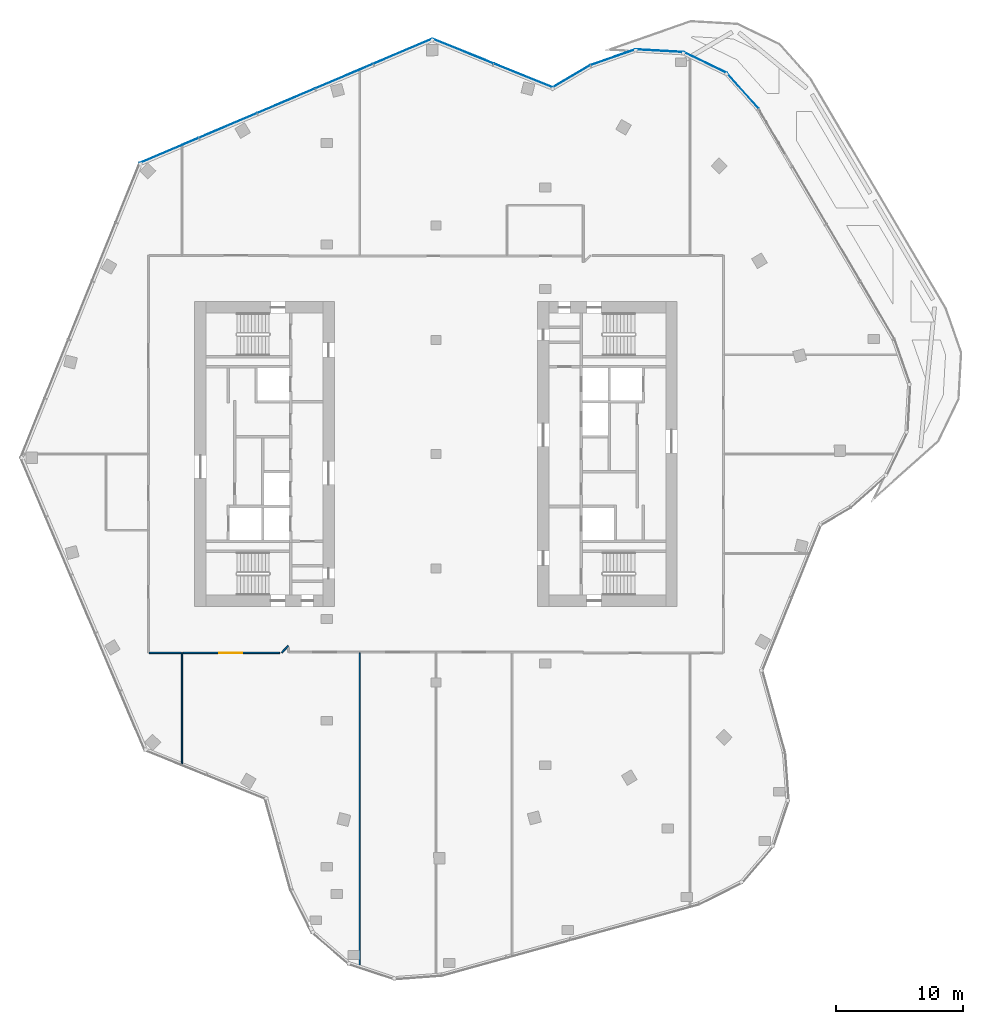
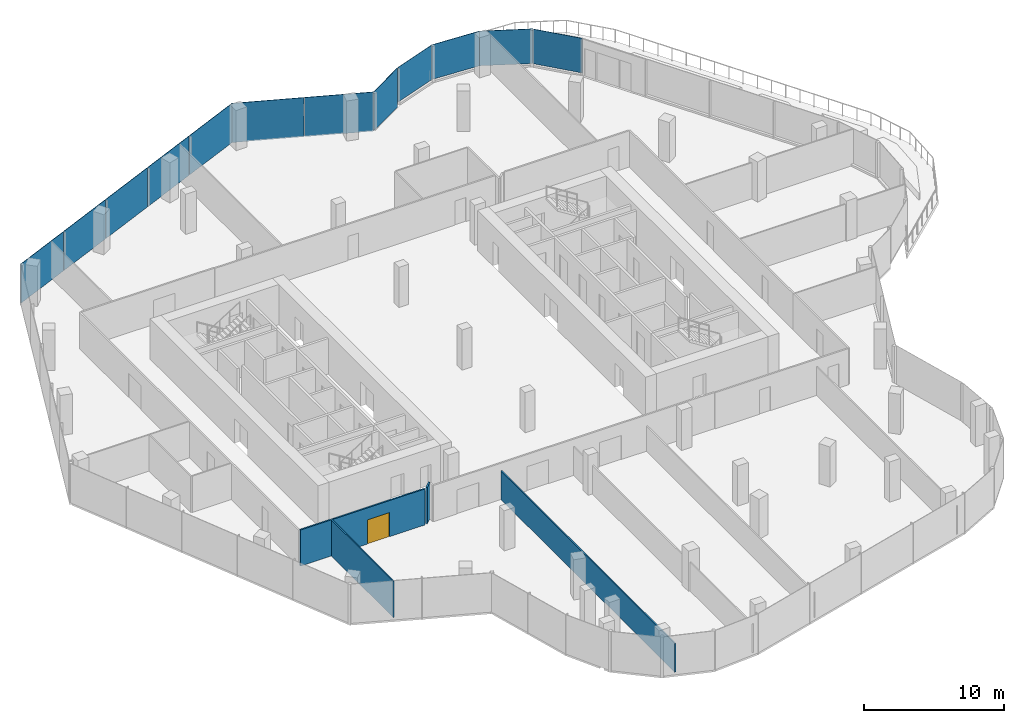
# One storey, part 11 of 17: 12 plates, 5 walls, 1 door, 1 opening, 7 elements without a shape of their own.
"""IFC4 building model written with IfcOpenShell, lengths in metres."""

from ifc_helpers import new_model, si_unit, direction, frame, frame_2d, origin, origin_2d, place, context, subcontext, project, spatial, rectangle, extrude, material, layer, layer_set, type_object, element, fill, aggregate, save


model = new_model("IFC4")

# Units and contexts
model_context = context("Model", 3, precision=1e-05, world=origin(), true_north=direction((0.0, 1.0)))
body_context = subcontext(model_context, "Body", "Model", "MODEL_VIEW")
ifc_project = project(units=[si_unit("LENGTHUNIT", "METRE"), si_unit("AREAUNIT", "SQUARE_METRE"), si_unit("VOLUMEUNIT", "CUBIC_METRE"), si_unit("PLANEANGLEUNIT", "RADIAN"), si_unit("MASSUNIT", "GRAM", prefix="KILO")], contexts=[model_context])

# Site, building, storey
site_placement = place(None, origin())
site = spatial("IfcSite", under=ifc_project, at=site_placement, CompositionType="ELEMENT")
building_placement = place(site_placement, origin())
building = spatial("IfcBuilding", under=site, at=building_placement, Name="Orlundy Tower", CompositionType="ELEMENT")
storey_placement = place(building_placement, frame((0.0, 0.0, 289.39990234375)))
storey = spatial("IfcBuildingStorey", under=building, at=storey_placement, Name="L77", CompositionType="ELEMENT", Elevation=289.39990234375)

# Curtain wall, plates
ifc_material_1 = material(Name="Aluminium bronze anodised", Category="aluminium")
curtain_wall_type = type_object("IfcCurtainWallType", Name="CW6 wall", PredefinedType="NOTDEFINED", material=ifc_material_1)
curtain_wall_1_placement = place(storey_placement, origin())
curtain_wall_1 = element("IfcCurtainWall", 1, at=curtain_wall_1_placement, inside=storey, type_object=curtain_wall_type, Name="CW6 run 04", PredefinedType="NOTDEFINED")
ifc_material_2 = material(Name="Tinted glass", Category="glass")
ifc_layer_1 = layer(ifc_material_2, 0.035888671875)
ifc_layer_set_1 = layer_set([ifc_layer_1], Name="CW6 glass panel 36")
plate_type = type_object("IfcPlateType", Name="CW6 glass panel 36", PredefinedType="CURTAIN_PANEL", material=ifc_layer_set_1)
plate_1_placement = place(storey_placement, frame((-21.013671875, 23.91259765625, -0.23974609375), z_axis=(0.0, 0.0, 1.0), x_axis=(0.920506804854, 0.390726531244, 0.0)))
plate_1 = element("IfcPlate", 2, at=plate_1_placement, type_object=plate_type, Name="CW6 panel", PredefinedType="CURTAIN_PANEL", context=body_context, shape_type="SweptSolid", body=[
    extrude(rectangle(XDim=5.03759765625, YDim=0.035888671875, at=origin_2d()), origin(), (0.0, 0.0, 1.0), 3.419921875),
])
plate_2_placement = place(storey_placement, frame((-16.38427734375, 25.877685546875, -0.23974609375), z_axis=(0.0, 0.0, 1.0), x_axis=(0.920506804854, 0.390726531244, 0.0)))
plate_2 = element("IfcPlate", 3, at=plate_2_placement, type_object=plate_type, Name="CW6 panel", PredefinedType="CURTAIN_PANEL", context=body_context, shape_type="SweptSolid", body=[
    extrude(rectangle(XDim=4.920654296875, YDim=0.035888671875, at=origin_2d()), origin(), (0.0, 0.0, 1.0), 3.419921875),
])
plate_3_placement = place(storey_placement, frame((-11.808837890625, 27.81982421875, -0.23974609375), z_axis=(0.0, 0.0, 1.0), x_axis=(0.920506804854, 0.390726531244, 0.0)))
plate_3 = element("IfcPlate", 4, at=plate_3_placement, type_object=plate_type, Name="CW6 panel", PredefinedType="CURTAIN_PANEL", context=body_context, shape_type="SweptSolid", body=[
    extrude(rectangle(XDim=4.920654296875, YDim=0.035888671875, at=origin_2d()), origin(), (0.0, 0.0, 1.0), 3.419921875),
])
plate_4_placement = place(storey_placement, frame((-7.233154296875, 29.761962890625, -0.23974609375), z_axis=(0.0, 0.0, 1.0), x_axis=(0.920506804854, 0.390726531244, 0.0)))
plate_4 = element("IfcPlate", 5, at=plate_4_placement, type_object=plate_type, Name="CW6 panel", PredefinedType="CURTAIN_PANEL", context=body_context, shape_type="SweptSolid", body=[
    extrude(rectangle(XDim=4.920654296875, YDim=0.035888671875, at=origin_2d()), origin(), (0.0, 0.0, 1.0), 3.419921875),
])
plate_5_placement = place(storey_placement, frame((-2.603759765625, 31.72705078125, -0.23974609375), z_axis=(0.0, 0.0, 1.0), x_axis=(0.920506804854, 0.390726531244, 0.0)))
plate_5 = element("IfcPlate", 6, at=plate_5_placement, type_object=plate_type, Name="CW6 panel", PredefinedType="CURTAIN_PANEL", context=body_context, shape_type="SweptSolid", body=[
    extrude(rectangle(XDim=5.03759765625, YDim=0.035888671875, at=origin_2d()), origin(), (0.0, 0.0, 1.0), 3.419921875),
])
aggregate(curtain_wall_1, [plate_1, plate_2, plate_3, plate_4, plate_5])

curtain_wall_2_placement = place(storey_placement, origin())
curtain_wall_2 = element("IfcCurtainWall", 7, at=curtain_wall_2_placement, inside=storey, type_object=curtain_wall_type, Name="CW6 run 05", PredefinedType="NOTDEFINED")
plate_6_placement = place(storey_placement, frame((2.11865234375, 31.739990234375, -0.23974609375), z_axis=(0.0, 0.0, 1.0), x_axis=(0.927170719858, -0.374639101319, 0.0)))
plate_6 = element("IfcPlate", 8, at=plate_6_placement, type_object=plate_type, Name="CW6 panel", PredefinedType="CURTAIN_PANEL", context=body_context, shape_type="SweptSolid", body=[
    extrude(rectangle(XDim=5.185302734375, YDim=0.035888671875, at=origin_2d()), origin(), (0.0, 0.0, 1.0), 3.419921875),
])
plate_7_placement = place(storey_placement, frame((6.879150390625, 29.81640625, -0.23974609375), z_axis=(0.0, 0.0, 1.0), x_axis=(0.927170719858, -0.374639101319, 0.0)))
plate_7 = element("IfcPlate", 9, at=plate_7_placement, type_object=plate_type, Name="CW6 panel", PredefinedType="CURTAIN_PANEL", context=body_context, shape_type="SweptSolid", body=[
    extrude(rectangle(XDim=4.98388671875, YDim=0.035888671875, at=origin_2d()), origin(), (0.0, 0.0, 1.0), 3.419921875),
])
aggregate(curtain_wall_2, [plate_6, plate_7])

# Curtain wall, plate
curtain_wall_3_placement = place(storey_placement, origin())
curtain_wall_3 = element("IfcCurtainWall", 10, at=curtain_wall_3_placement, inside=storey, type_object=curtain_wall_type, Name="CW6 run 06", PredefinedType="NOTDEFINED")
plate_8_placement = place(storey_placement, frame((10.6630859375, 29.750732421875, -0.23974609375), z_axis=(0.0, 0.0, 1.0), x_axis=(0.861635724688, 0.507527218917, 0.0)))
plate_8 = element("IfcPlate", 11, at=plate_8_placement, type_object=plate_type, Name="CW6 panel", PredefinedType="CURTAIN_PANEL", context=body_context, shape_type="SweptSolid", body=[
    extrude(rectangle(XDim=3.420166015625, YDim=0.035888671875, at=origin_2d()), origin(), (0.0, 0.0, 1.0), 3.419921875),
])
aggregate(curtain_wall_3, [plate_8])

curtain_wall_4_placement = place(storey_placement, origin())
curtain_wall_4 = element("IfcCurtainWall", 12, at=curtain_wall_4_placement, inside=storey, type_object=curtain_wall_type, Name="CW6 run 07", PredefinedType="NOTDEFINED")
plate_9_placement = place(storey_placement, frame((13.95068359375, 31.25732421875, 0.16015625), z_axis=(0.0, 0.0, 1.0), x_axis=(0.944081083956, 0.32971337085, 0.0)))
plate_9 = element("IfcPlate", 13, at=plate_9_placement, type_object=plate_type, Name="CW6 panel", PredefinedType="CURTAIN_PANEL", context=body_context, shape_type="SweptSolid", body=[
    extrude(rectangle(XDim=3.7470703125, YDim=0.035888671875, at=origin_2d()), origin(), (0.0, 0.0, 1.0), 3.02001953125),
])
aggregate(curtain_wall_4, [plate_9])

curtain_wall_5_placement = place(storey_placement, origin())
curtain_wall_5 = element("IfcCurtainWall", 14, at=curtain_wall_5_placement, inside=storey, type_object=curtain_wall_type, Name="CW6 run 08", PredefinedType="NOTDEFINED")
plate_10_placement = place(storey_placement, frame((17.614013671875, 31.767578125, 0.16015625), z_axis=(0.0, 0.0, 1.0), x_axis=(0.998394082315, -0.056650299193, 0.0)))
plate_10 = element("IfcPlate", 15, at=plate_10_placement, type_object=plate_type, Name="CW6 panel", PredefinedType="CURTAIN_PANEL", context=body_context, shape_type="SweptSolid", body=[
    extrude(rectangle(XDim=3.79541015625, YDim=0.035888671875, at=origin_2d()), origin(), (0.0, 0.0, 1.0), 3.02001953125),
])
aggregate(curtain_wall_5, [plate_10])

curtain_wall_6_placement = place(storey_placement, origin())
curtain_wall_6 = element("IfcCurtainWall", 16, at=curtain_wall_6_placement, inside=storey, type_object=curtain_wall_type, Name="CW6 run 09", PredefinedType="NOTDEFINED")
plate_11_placement = place(storey_placement, frame((21.217529296875, 30.83544921875, 0.16015625), z_axis=(0.0, 0.0, 1.0), x_axis=(0.900598982958, -0.434650977101, 0.0)))
plate_11 = element("IfcPlate", 17, at=plate_11_placement, type_object=plate_type, Name="CW6 panel", PredefinedType="CURTAIN_PANEL", context=body_context, shape_type="SweptSolid", body=[
    extrude(rectangle(XDim=3.794677734375, YDim=0.035888671875, at=origin_2d()), origin(), (0.0, 0.0, 1.0), 3.02001953125),
])
aggregate(curtain_wall_6, [plate_11])

curtain_wall_7_placement = place(storey_placement, origin())
curtain_wall_7 = element("IfcCurtainWall", 18, at=curtain_wall_7_placement, inside=storey, type_object=curtain_wall_type, Name="CW6 run 010", PredefinedType="NOTDEFINED")
plate_12_placement = place(storey_placement, frame((24.17431640625, 28.613037109375, 0.16015625), z_axis=(0.0, 0.0, 1.0), x_axis=(0.666053294525, -0.745904155272, 0.0)))
plate_12 = element("IfcPlate", 19, at=plate_12_placement, type_object=plate_type, Name="CW6 panel", PredefinedType="CURTAIN_PANEL", context=body_context, shape_type="SweptSolid", body=[
    extrude(rectangle(XDim=3.747802734375, YDim=0.035888671875, at=origin_2d()), origin(), (0.0, 0.0, 1.0), 3.02001953125),
])
aggregate(curtain_wall_7, [plate_12])

# Walls
ifc_material_3 = material(Name="Gypsum board partition")
ifc_layer_2 = layer(ifc_material_3, 0.10009765625)
ifc_layer_set_2 = layer_set([ifc_layer_2], Name="Floor partition 100")
wall_type_1 = type_object("IfcWallType", Name="Floor partition 100", PredefinedType="PARTITIONING", material=ifc_layer_set_2)
wall_1_placement = place(storey_placement, frame((-20.0, -24.5458984375, 0.0), z_axis=(0.0, 0.0, 1.0), x_axis=(0.0, 1.0, 0.0)))
element("IfcWall", 20, at=wall_1_placement, inside=storey, type_object=wall_type_1, Name="wall-int-L77-027", PredefinedType="PARTITIONING", context=body_context, shape_type="SweptSolid", body=[
    extrude(rectangle(XDim=8.89501953125, YDim=0.10009765625, at=frame_2d((4.447509765625, 0.0))), origin(), (0.0, 0.0, 1.0), 3.150146484375),
])
ifc_material_4 = material(Name="Gypsum board partition")
ifc_layer_3 = layer(ifc_material_4, 0.10009765625)
ifc_layer_set_3 = layer_set([ifc_layer_3], Name="Floor partition 100 B")
wall_type_2 = type_object("IfcWallType", Name="Floor partition 100 B", PredefinedType="PARTITIONING", material=ifc_layer_set_3)
wall_2_placement = place(storey_placement, frame((-6.0, -40.5029296875, 0.0), z_axis=(0.0, 0.0, 1.0), x_axis=(0.0, 1.0, 0.0)))
element("IfcWall", 21, at=wall_2_placement, inside=storey, type_object=wall_type_2, Name="wall-int-L77-025", PredefinedType="PARTITIONING", context=body_context, shape_type="SweptSolid", body=[
    extrude(rectangle(XDim=24.8408203125, YDim=0.10009765625, at=frame_2d((12.42041015625, 0.0))), origin(), (0.0, 0.0, 1.0), 2.4951171875),
])

# Wall, opening, door
ifc_material_5 = material(Name="Gypsum board partition, double layer")
ifc_layer_4 = layer(ifc_material_5, 0.125)
ifc_layer_set_4 = layer_set([ifc_layer_4], Name="Floor partition 125")
wall_type_3 = type_object("IfcWallType", Name="Floor partition 125", PredefinedType="PARTITIONING", material=ifc_layer_set_4)
wall_3_placement = place(storey_placement, frame((-12.31103515625, -15.65087890625, 0.0), z_axis=(0.0, 0.0, 1.0), x_axis=(-1.0, 0.0, 0.0)))
wall_3 = element("IfcWall", 22, at=wall_3_placement, inside=storey, type_object=wall_type_3, Name="wall-int-L77-002", PredefinedType="PARTITIONING", context=body_context, shape_type="SweptSolid", body=[
    extrude(rectangle(XDim=7.638916015625, YDim=0.125, at=frame_2d((3.8193359375, 0.0))), origin(), (0.0, 0.0, 1.0), 3.150146484375),
])
opening_placement = place(wall_3_placement, frame((2.94921875, 0.0, 0.0)))
opening = element("IfcOpeningElement", 23, at=opening_placement, cuts=wall_3, Name="Opening 59101", PredefinedType="OPENING", context=body_context, shape_type="SweptSolid", body=[
    extrude(rectangle(XDim=1.800048828125, YDim=2.10009765625, at=frame_2d((0.89990234375, 1.050048828125))), frame((0.0, 0.072509765625, 0.0), z_axis=(0.0, -1.0, 0.0), x_axis=(1.0, 0.0, 0.0)), (0.0, 0.0, 1.0), 0.14501953125),
])
ifc_material_6 = material(Name="Timber door leaf", Category="wood")
door_type = type_object("IfcDoorType", Name="Floor door double 1800 FD30S", OperationType="NOTDEFINED", PredefinedType="DOOR", material=ifc_material_6)
door_placement = place(opening_placement, origin())
door = element("IfcDoor", 24, at=door_placement, inside=storey, type_object=door_type, Name="Door 59101", OperationType="DOUBLE_DOOR_SINGLE_SWING", OverallHeight=2.10009765625, OverallWidth=1.800048828125, PredefinedType="DOOR", context=body_context, shape_type="SweptSolid", body=[
    extrude(rectangle(XDim=1.800048828125, YDim=2.10009765625, at=frame_2d((0.89990234375, 1.050048828125))), frame((0.0, 0.02490234375, 0.0), z_axis=(0.0, -1.0, 0.0), x_axis=(1.0, 0.0, 0.0)), (0.0, 0.0, 1.0), 0.050048828125),
])
fill(opening, door)

# Walls
wall_4_placement = place(storey_placement, frame((-22.5869140625, -15.65087890625, 0.0), z_axis=(0.0, 0.0, 1.0), x_axis=(1.0, 0.0, 0.0)))
element("IfcWall", 25, at=wall_4_placement, inside=storey, type_object=wall_type_3, Name="wall-int-L77-004", PredefinedType="PARTITIONING", context=body_context, shape_type="SweptSolid", body=[
    extrude(rectangle(XDim=2.536865234375, YDim=0.125, at=frame_2d((1.2685546875, 0.0))), origin(), (0.0, 0.0, 1.0), 3.150146484375),
])
wall_5_placement = place(storey_placement, frame((-12.153076171875, -15.631103515625, 0.0), z_axis=(0.0, 0.0, 1.0), x_axis=(0.707106781187, 0.707106781187, 0.0)))
element("IfcWall", 26, at=wall_5_placement, inside=storey, type_object=wall_type_3, Name="wall-int-L77-015", PredefinedType="PARTITIONING", context=body_context, shape_type="SweptSolid", body=[
    extrude(rectangle(XDim=0.7509765625, YDim=0.125, at=frame_2d((0.37548828125, 0.0))), origin(), (0.0, 0.0, 1.0), 3.150146484375),
])

save(model, "model.ifc")
